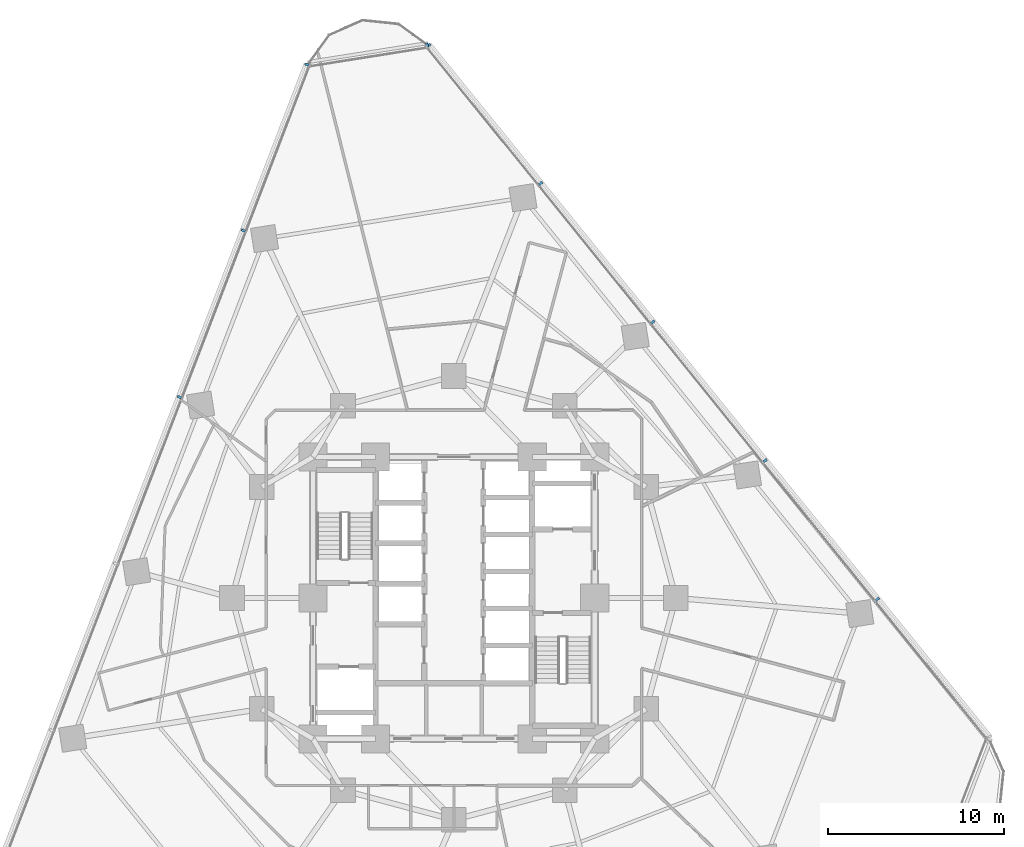
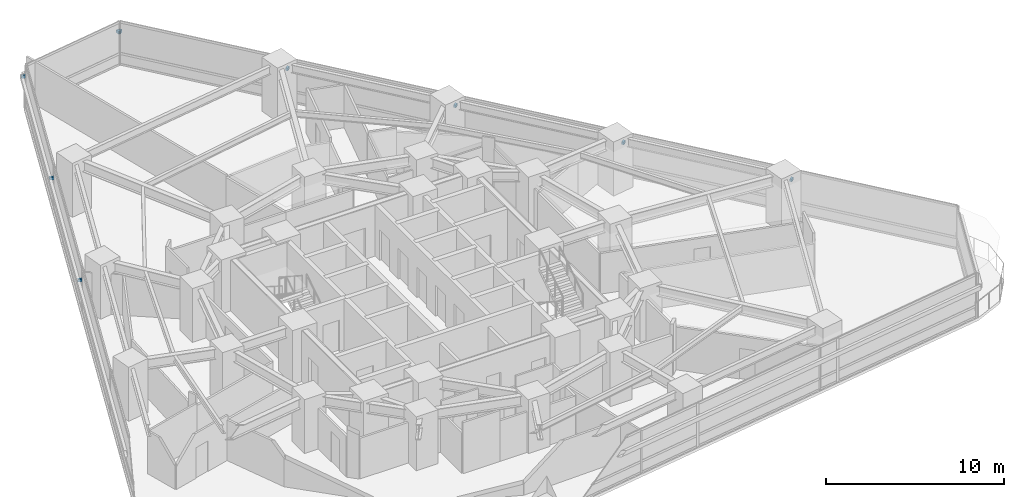
# One storey, part 11 of 14: 9 discrete accessories.
"""IFC4 building model written with IfcOpenShell, lengths in metres."""

from ifc_helpers import new_model, si_unit, direction, frame, origin, origin_2d, place, context, subcontext, project, spatial, rectangle, extrude, material, type_object, element, save


model = new_model("IFC4")

# Units and contexts
model_context = context("Model", 3, precision=1e-05, world=origin(), true_north=direction((0.0, 1.0)))
body_context = subcontext(model_context, "Body", "Model", "MODEL_VIEW")
ifc_project = project(units=[si_unit("LENGTHUNIT", "METRE"), si_unit("AREAUNIT", "SQUARE_METRE"), si_unit("VOLUMEUNIT", "CUBIC_METRE"), si_unit("PLANEANGLEUNIT", "RADIAN"), si_unit("MASSUNIT", "GRAM", prefix="KILO")], contexts=[model_context])

# Site, building, storey
site_placement = place(None, origin())
site = spatial("IfcSite", under=ifc_project, at=site_placement, CompositionType="ELEMENT")
building_placement = place(site_placement, origin())
building = spatial("IfcBuilding", under=site, at=building_placement, Name="Terralouvre Media Tower", CompositionType="ELEMENT")
storey_placement = place(building_placement, frame((0.0, 0.0, 70.39990234375)))
storey = spatial("IfcBuildingStorey", under=building, at=storey_placement, Name="L17", CompositionType="ELEMENT", Elevation=70.39990234375)

# Discrete accessories
ifc_material = material(Name="Anodised extruded aluminium 6063-T6", Category="aluminium")
discrete_accessory_type = type_object("IfcDiscreteAccessoryType", Name="Mullion Stand-Off Baguette Fixing Bracket BK-01", PredefinedType="BRACKET", material=ifc_material)
for number, where, z_axis, x_axis, name in (
    (1, (24.04541015625, -0.076904296875, 2.07421875), (0.0, 0.0, 1.0), (-0.629320350521, 0.777145994276, 0.0), "CW-L17-F1 Baguette Outrigger Bracket 1.02"),
    (2, (17.671630859375, 7.794189453125, 2.07421875), (0.0, 0.0, 1.0), (-0.629320350521, 0.777145994276, 0.0), "CW-L17-F1 Baguette Outrigger Bracket 1.03"),
    (3, (11.2978515625, 15.6650390625, 2.07421875), (0.0, 0.0, 1.0), (-0.629320350521, 0.777145994276, 0.0), "CW-L17-F1 Baguette Outrigger Bracket 1.04"),
    (4, (4.92431640625, 23.535888671875, 2.07421875), (0.0, 0.0, 1.0), (-0.629320350521, 0.777145994276, 0.0), "CW-L17-F1 Baguette Outrigger Bracket 1.05"),
    (5, (-1.426025390625, 31.377685546875, 2.07421875), (0.0, 0.0, 1.0), (-0.629320350521, 0.777145994276, 0.0), "CW-L17-F1 Baguette Outrigger Bracket 1.06"),
    (6, (-8.340087890625, 30.28271484375, 2.07421875), (0.0, 0.0, 1.0), (-0.358367917006, -0.933580438988, 0.0), "CW-L17-F2 Baguette Outrigger Bracket 1.01"),
    (7, (-11.956298828125, 20.8623046875, 2.07421875), (0.0, 0.0, 1.0), (-0.358367917006, -0.933580438988, 0.0), "CW-L17-F2 Baguette Outrigger Bracket 1.02"),
    (8, (-15.585693359375, 11.406982421875, 2.07421875), (0.0, 0.0, 1.0), (-0.358367917006, -0.933580438988, 0.0), "CW-L17-F2 Baguette Outrigger Bracket 1.03"),
    (9, (-1.520751953125, 31.395751953125, 2.07421875), (0.0, 0.0, 1.0), (-0.987688353034, -0.156434386502, 0.0), "CW-L17-C2 Baguette Outrigger Bracket 1.01"),
):
    element("IfcDiscreteAccessory", number, at=place(storey_placement, frame(where, z_axis=z_axis, x_axis=x_axis)), inside=storey, type_object=discrete_accessory_type, Name=name, PredefinedType="BRACKET", context=body_context, shape_type="SweptSolid", body=[
        extrude(rectangle(XDim=0.139892578125, YDim=0.239990234375, at=origin_2d()), origin(), (0.0, 0.0, 1.0), 0.179931640625),
    ])

save(model, "model.ifc")
